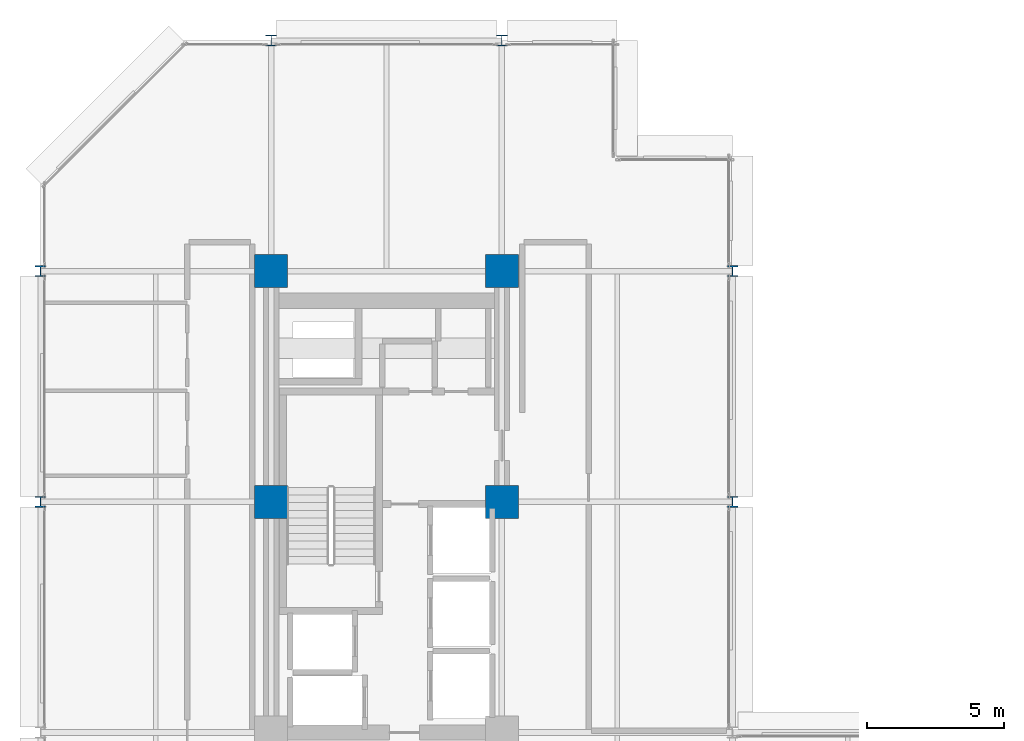
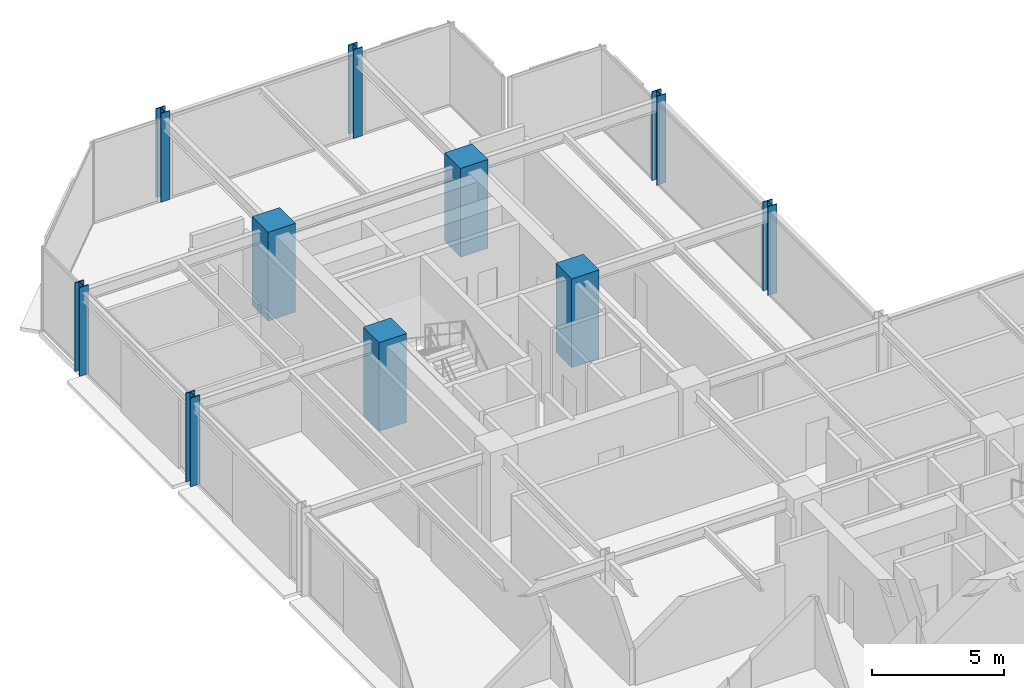
# One storey, part 3 of 39: 10 columns.
"""IFC4 building model written with IfcOpenShell, lengths in metres."""

from ifc_helpers import new_model, si_unit, direction, frame, origin, origin_2d, place, context, subcontext, project, spatial, rectangle, i_section, extrude, material, material_profile, profile_set, type_object, element, save


model = new_model("IFC4")

# Units and contexts
model_context = context("Model", 3, precision=1e-05, world=origin(), true_north=direction((0.0, 1.0)))
body_context = subcontext(model_context, "Body", "Model", "MODEL_VIEW")
ifc_project = project(units=[si_unit("LENGTHUNIT", "METRE"), si_unit("AREAUNIT", "SQUARE_METRE"), si_unit("VOLUMEUNIT", "CUBIC_METRE"), si_unit("PLANEANGLEUNIT", "RADIAN"), si_unit("MASSUNIT", "GRAM", prefix="KILO")], contexts=[model_context])

# Site, building, storey
site_placement = place(None, origin())
site = spatial("IfcSite", under=ifc_project, at=site_placement, CompositionType="ELEMENT")
building_placement = place(site_placement, origin())
building = spatial("IfcBuilding", under=site, at=building_placement, Name="Nerrivon Quay Data Exchange", CompositionType="ELEMENT")
storey_placement = place(building_placement, frame((0.0, 0.0, 104.89990234375)))
storey = spatial("IfcBuildingStorey", under=building, at=storey_placement, Name="L24", CompositionType="ELEMENT", Elevation=104.89990234375)

# Columns
ifc_material_1 = material(Name="Concrete S65 (65 MPa)", Category="concrete")
ifc_material_profile_1 = material_profile(ifc_material_1, rectangle(XDim=1.199951171875, YDim=1.199951171875, at=origin_2d()), Name="RC-COL-1200x1200")
ifc_profile_set_1 = profile_set([ifc_material_profile_1], Name="Concrete S65 (65 MPa)")
column_type_1 = type_object("IfcColumnType", Name="COL-C3-1200", PredefinedType="COLUMN", material=ifc_profile_set_1)
for number, where, z_axis, x_axis, name in (
    (1, (8.39990234375, 33.60009765625, 0.0), (0.0, 0.0, 1.0), (1.0, 0.0, 0.0), "L24 Column (8.4,33.6)"),
    (2, (8.39990234375, 42.0, 0.0), (0.0, 0.0, 1.0), (1.0, 0.0, 0.0), "L24 Column (8.4,42.0)"),
    (3, (16.800048828125, 33.60009765625, 0.0), (0.0, 0.0, 1.0), (1.0, 0.0, 0.0), "L24 Column (16.8,33.6)"),
    (4, (16.800048828125, 42.0, 0.0), (0.0, 0.0, 1.0), (1.0, 0.0, 0.0), "L24 Column (16.8,42.0)"),
):
    element("IfcColumn", number, at=place(storey_placement, frame(where, z_axis=z_axis, x_axis=x_axis)), inside=storey, type_object=column_type_1, Name=name, PredefinedType="COLUMN", context=body_context, shape_type="SweptSolid", body=[
        extrude(rectangle(XDim=1.199951171875, YDim=1.199951171875, at=origin_2d()), origin(), (0.0, 0.0, 1.0), 4.10009765625),
    ])
ifc_material_2 = material(Name="Steel Grade 350", Category="steel")
ifc_material_profile_2 = material_profile(ifc_material_2, i_section(OverallWidth=0.39990234375, OverallDepth=0.39990234375, WebThickness=0.02490234375, FlangeThickness=0.0400390625, at=origin_2d()), Name="400WC328")
ifc_profile_set_2 = profile_set([ifc_material_profile_2], Name="Steel Grade 350")
column_type_2 = type_object("IfcColumnType", Name="COL-SC2-400WC", PredefinedType="COLUMN", material=ifc_profile_set_2)
for number, where, z_axis, x_axis, name in (
    (5, (0.0, 33.60009765625, 0.0), (0.0, 0.0, 1.0), (1.0, 0.0, 0.0), "L24 Column (0.0,33.6)"),
    (6, (0.0, 42.0, 0.0), (0.0, 0.0, 1.0), (1.0, 0.0, 0.0), "L24 Column (0.0,42.0)"),
    (7, (8.39990234375, 50.39990234375, 0.0), (0.0, 0.0, 1.0), (1.0, 0.0, 0.0), "L24 Column (8.4,50.4)"),
    (8, (16.800048828125, 50.39990234375, 0.0), (0.0, 0.0, 1.0), (1.0, 0.0, 0.0), "L24 Column (16.8,50.4)"),
    (9, (25.199951171875, 33.60009765625, 0.0), (0.0, 0.0, 1.0), (1.0, 0.0, 0.0), "L24 Column (25.2,33.6)"),
    (10, (25.199951171875, 42.0, 0.0), (0.0, 0.0, 1.0), (1.0, 0.0, 0.0), "L24 Column (25.2,42.0)"),
):
    element("IfcColumn", number, at=place(storey_placement, frame(where, z_axis=z_axis, x_axis=x_axis)), inside=storey, type_object=column_type_2, Name=name, PredefinedType="COLUMN", context=body_context, shape_type="SweptSolid", body=[
        extrude(i_section(OverallWidth=0.39990234375, OverallDepth=0.39990234375, WebThickness=0.02490234375, FlangeThickness=0.0400390625, at=origin_2d()), origin(), (0.0, 0.0, 1.0), 4.10009765625),
    ])

save(model, "model.ifc")
